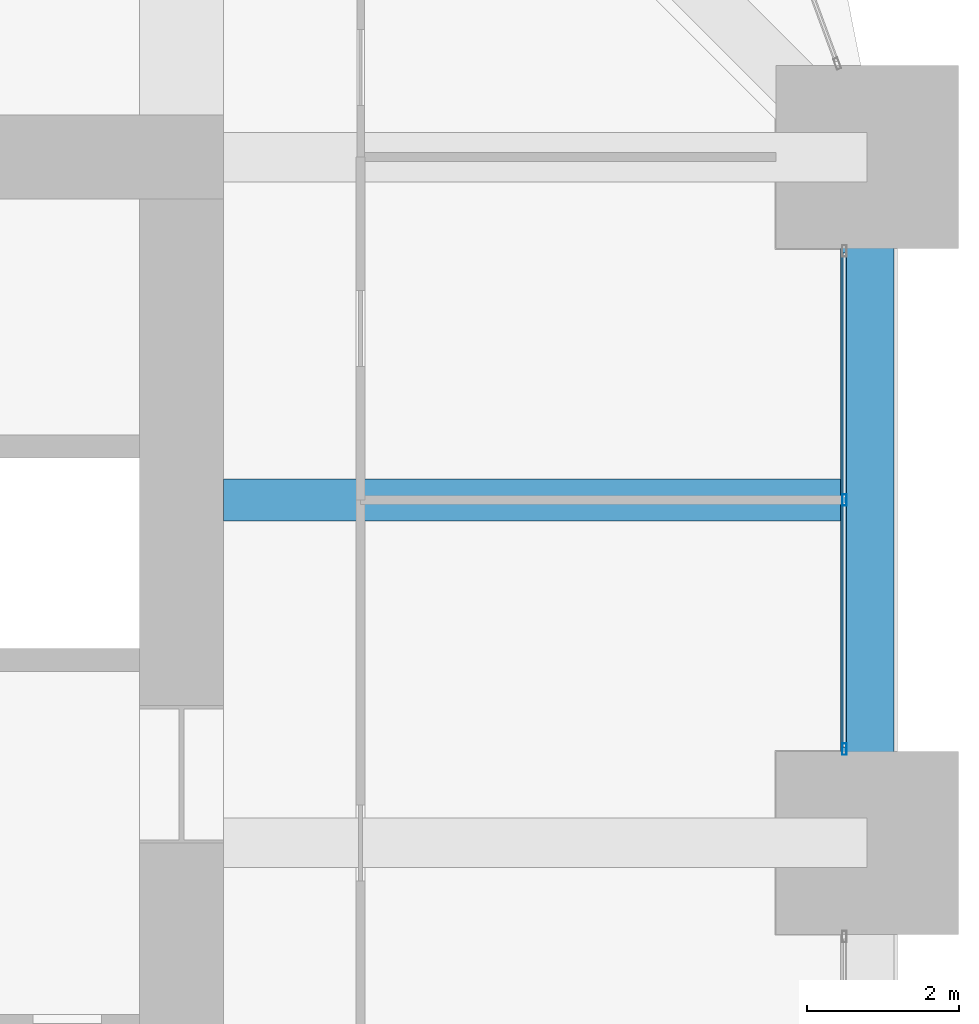
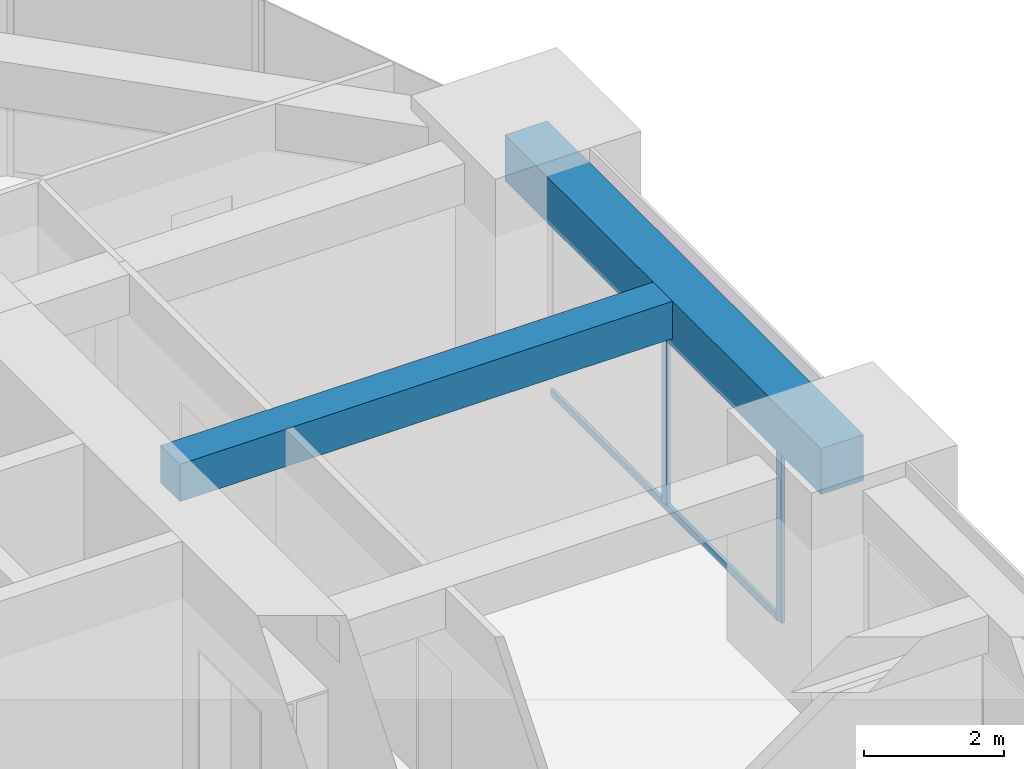
# One storey, part 19 of 33: 3 members, 2 beams, 1 element without a shape of its own.
"""IFC4 building model written with IfcOpenShell, lengths in metres."""

from ifc_helpers import new_model, si_unit, direction, frame, origin, origin_2d, place, context, subcontext, project, spatial, rectangle, hollow_rectangle, extrude, material, material_profile, profile_set, type_object, element, aggregate, save


model = new_model("IFC4")

# Units and contexts
model_context = context("Model", 3, precision=1e-05, world=origin(), true_north=direction((0.0, 1.0)))
body_context = subcontext(model_context, "Body", "Model", "MODEL_VIEW")
ifc_project = project(units=[si_unit("LENGTHUNIT", "METRE"), si_unit("AREAUNIT", "SQUARE_METRE"), si_unit("VOLUMEUNIT", "CUBIC_METRE"), si_unit("PLANEANGLEUNIT", "RADIAN"), si_unit("MASSUNIT", "GRAM", prefix="KILO")], contexts=[model_context])

# Site, building, storey
site_placement = place(None, origin())
site = spatial("IfcSite", under=ifc_project, at=site_placement, CompositionType="ELEMENT")
building_placement = place(site_placement, origin())
building = spatial("IfcBuilding", under=site, at=building_placement, Name="Zorevar Civic Tower", CompositionType="ELEMENT")
storey_placement = place(building_placement, frame((0.0, 0.0, 178.199951171875)))
storey = spatial("IfcBuildingStorey", under=building, at=storey_placement, Name="L43", CompositionType="ELEMENT", Elevation=178.199951171875)

# Beam
ifc_material_1 = material(Name="Concrete C50/60", Category="concrete")
ifc_material_profile_1 = material_profile(ifc_material_1, rectangle(XDim=0.550048828125, YDim=0.64990234375, at=origin_2d()), Name="RC 550x650")
ifc_profile_set_1 = profile_set([ifc_material_profile_1], Name="Concrete C50/60")
beam_type_1 = type_object("IfcBeamType", Name="Beam RC 550x650", PredefinedType="BEAM", material=ifc_profile_set_1)
beam_1_placement = place(storey_placement, frame((45.550048828125, 31.5, 3.425048828125), z_axis=(1.0, 0.0, 0.0), x_axis=(0.0, 1.0, 0.0)))
element("IfcBeam", 1, at=beam_1_placement, inside=storey, type_object=beam_type_1, Name="Secondary beam L44", PredefinedType="BEAM", context=body_context, shape_type="SweptSolid", body=[
    extrude(rectangle(XDim=0.550048828125, YDim=0.64990234375, at=origin_2d()), origin(), (0.0, 0.0, 1.0), 8.099853515625),
])

# Curtain wall, members
ifc_material_2 = material(Name="Dark grey solar-control glass in black aluminium frame", Category="aluminium")
curtain_wall_type = type_object("IfcCurtainWallType", Name="Curtain wall CW4 high zone", PredefinedType="NOTDEFINED", material=ifc_material_2)
curtain_wall_placement = place(storey_placement, origin())
curtain_wall = element("IfcCurtainWall", 2, at=curtain_wall_placement, inside=storey, type_object=curtain_wall_type, Name="CW4 L43", PredefinedType="NOTDEFINED")
ifc_material_3 = material(Name="Aluminium, black anodised", Category="aluminium")
ifc_material_profile_2 = material_profile(ifc_material_3, hollow_rectangle(XDim=0.06005859375, YDim=0.14990234375, WallThickness=0.00390625, at=origin_2d()), Name="AL 150x60x4")
ifc_profile_set_2 = profile_set([ifc_material_profile_2], Name="Aluminium, black anodised")
member_type_1 = type_object("IfcMemberType", Name="CW4 mullion AL 150x60x4", PredefinedType="MULLION", material=ifc_profile_set_2)
member_1_placement = place(storey_placement, frame((53.699951171875, 28.22998046875, 0.0), z_axis=(0.0, 0.0, 1.0), x_axis=(-1.0, 0.0, 0.0)))
member_1 = element("IfcMember", 3, at=member_1_placement, type_object=member_type_1, Name="CW4 mullion 1", PredefinedType="MULLION", context=body_context, shape_type="SweptSolid", body=[
    extrude(hollow_rectangle(XDim=0.06005859375, YDim=0.14990234375, WallThickness=0.00390625, at=origin_2d()), origin(), (0.0, 0.0, 1.0), 2.949951171875),
])
member_2_placement = place(storey_placement, frame((53.699951171875, 31.5, 0.06005859375), z_axis=(0.0, 0.0, 1.0), x_axis=(-1.0, 0.0, 0.0)))
member_2 = element("IfcMember", 4, at=member_2_placement, type_object=member_type_1, Name="CW4 mullion 2", PredefinedType="MULLION", context=body_context, shape_type="SweptSolid", body=[
    extrude(hollow_rectangle(XDim=0.06005859375, YDim=0.14990234375, WallThickness=0.00390625, at=origin_2d()), origin(), (0.0, 0.0, 1.0), 2.889892578125),
])
ifc_material_4 = material(Name="Aluminium, black anodised", Category="aluminium")
ifc_material_profile_3 = material_profile(ifc_material_4, hollow_rectangle(XDim=0.06005859375, YDim=0.1201171875, WallThickness=0.0029296875, at=origin_2d()), Name="AL 120x60x3")
ifc_profile_set_3 = profile_set([ifc_material_profile_3], Name="Aluminium, black anodised")
member_type_2 = type_object("IfcMemberType", Name="CW4 transom AL 120x60x3", PredefinedType="USERDEFINED", material=ifc_profile_set_3)
member_3_placement = place(storey_placement, frame((53.699951171875, 28.260009765625, 0.030029296875), z_axis=(0.0, 1.0, 0.0), x_axis=(-1.0, 0.0, 0.0)))
member_3 = element("IfcMember", 5, at=member_3_placement, type_object=member_type_2, Name="CW4 sill transom", ObjectType="TRANSOM", PredefinedType="USERDEFINED", context=body_context, shape_type="SweptSolid", body=[
    extrude(hollow_rectangle(XDim=0.06005859375, YDim=0.1201171875, WallThickness=0.0029296875, at=origin_2d()), origin(), (0.0, 0.0, 1.0), 6.47998046875),
])
aggregate(curtain_wall, [member_1, member_2, member_3])

# Beam
ifc_material_5 = material(Name="Concrete C50/60", Category="concrete")
ifc_material_profile_4 = material_profile(ifc_material_5, rectangle(XDim=0.699951171875, YDim=0.800048828125, at=origin_2d()), Name="RC 700x800")
ifc_profile_set_4 = profile_set([ifc_material_profile_4], Name="Concrete C50/60")
beam_type_2 = type_object("IfcBeamType", Name="Edge beam RC 700x800", PredefinedType="SPANDREL", material=ifc_profile_set_4)
beam_2_placement = place(storey_placement, frame((54.0, 27.0, 3.35009765625), z_axis=(0.0, 1.0, 0.0), x_axis=(-1.0, 0.0, 0.0)))
element("IfcBeam", 6, at=beam_2_placement, inside=storey, type_object=beam_type_2, Name="Edge beam L44", PredefinedType="SPANDREL", context=body_context, shape_type="SweptSolid", body=[
    extrude(rectangle(XDim=0.699951171875, YDim=0.800048828125, at=origin_2d()), origin(), (0.0, 0.0, 1.0), 9.0),
])

save(model, "model.ifc")
